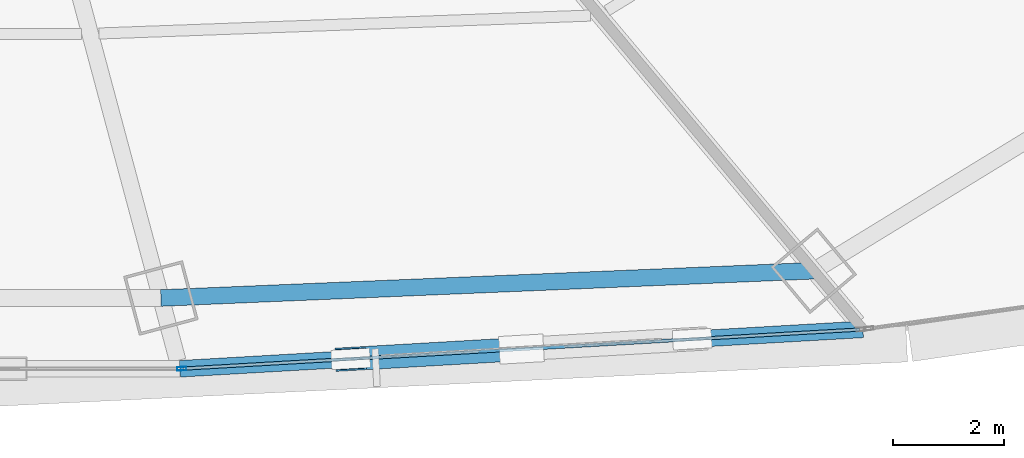
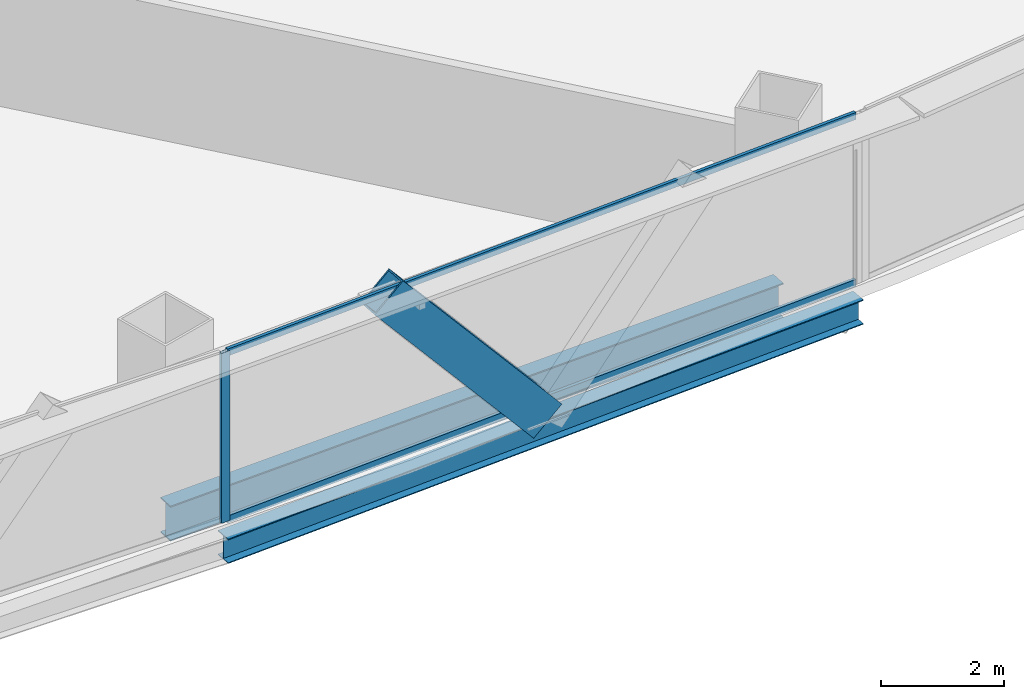
# One storey, part 10 of 37: 4 members, 2 beams, 1 element without a shape of its own.
"""IFC4 building model written with IfcOpenShell, lengths in metres."""

from ifc_helpers import new_model, si_unit, direction, frame, origin, origin_2d, place, context, subcontext, project, spatial, hollow_rectangle, i_section, extrude, source, transform, mapped, material, layer, layer_set, material_profile, profile_set, type_object, element, aggregate, save


model = new_model("IFC4")

# Units and contexts
model_context = context("Model", 3, precision=1e-05, world=origin(), true_north=direction((0.0, 1.0)))
body_context = subcontext(model_context, "Body", "Model", "MODEL_VIEW")
ifc_project = project(units=[si_unit("LENGTHUNIT", "METRE"), si_unit("AREAUNIT", "SQUARE_METRE"), si_unit("VOLUMEUNIT", "CUBIC_METRE"), si_unit("PLANEANGLEUNIT", "RADIAN"), si_unit("MASSUNIT", "GRAM", prefix="KILO"), si_unit("THERMODYNAMICTEMPERATUREUNIT", "KELVIN"), si_unit("POWERUNIT", "WATT")], contexts=[model_context])

# Site, building, storey
site_placement = place(None, origin())
site = spatial("IfcSite", under=ifc_project, at=site_placement, CompositionType="ELEMENT")
building_placement = place(site_placement, origin())
building = spatial("IfcBuilding", under=site, at=building_placement, Name="Yunzhuo Pagoda Commons", CompositionType="ELEMENT")
storey_placement = place(building_placement, frame((0.0, 0.0, 55.81005859375)))
storey = spatial("IfcBuildingStorey", under=building, at=storey_placement, Name="L14", CompositionType="ELEMENT", Elevation=55.81005859375)

# Beams
ifc_material_1 = material(Name="Structural steel Q355B", Category="steel")
ifc_material_profile_1 = material_profile(ifc_material_1, i_section(OverallWidth=0.300048828125, OverallDepth=0.699951171875, WebThickness=0.012939453125, FlangeThickness=0.02392578125, at=origin_2d()), Name="Structural steel Q355B")
ifc_profile_set_1 = profile_set([ifc_material_profile_1], Name="Structural steel Q355B")
beam_type_1 = type_object("IfcBeamType", Name="B-RG1 Beam HN 700x300x13x24", PredefinedType="BEAM", material=ifc_profile_set_1)
shared_shape_1 = source(origin(), body_context, "Body", "SweptSolid", [
    extrude(i_section(OverallWidth=0.300048828125, OverallDepth=0.699951171875, WebThickness=0.012939453125, FlangeThickness=0.02392578125, at=origin_2d()), origin(), (0.0, 0.0, 1.0), 11.7900390625),
])
beam_1_placement = place(storey_placement, frame((53.72021484375, 12.35205078125, -0.610107421875), z_axis=(0.99912739354, 0.041766631146, 0.0), x_axis=(-0.041766631146, 0.99912739354, 0.0)))
element("IfcBeam", 1, at=beam_1_placement, inside=storey, type_object=beam_type_1, Name="L14 column-ring beam 3", PredefinedType="BEAM", context=body_context, shape_type="MappedRepresentation", body=[
    mapped(shared_shape_1, transform((0.0, 0.0, 0.0), scale=1.0)),
])
ifc_material_profile_2 = material_profile(ifc_material_1, i_section(OverallWidth=0.300048828125, OverallDepth=0.488037109375, WebThickness=0.010986328125, FlangeThickness=0.01806640625, at=origin_2d()), Name="Structural steel Q355B")
ifc_profile_set_2 = profile_set([ifc_material_profile_2], Name="Structural steel Q355B")
beam_type_2 = type_object("IfcBeamType", Name="B-SP1 Beam HM 488x300x11x18", PredefinedType="BEAM", material=ifc_profile_set_2)
shared_shape_2 = source(origin(), body_context, "Body", "SweptSolid", [
    extrude(i_section(OverallWidth=0.300048828125, OverallDepth=0.488037109375, WebThickness=0.010986328125, FlangeThickness=0.01806640625, at=origin_2d()), origin(), (0.0, 0.0, 1.0), 12.345703125),
])
beam_2_placement = place(storey_placement, frame((54.0625, 11.07470703125, -0.504150390625), z_axis=(0.998336003237, 0.057664760824, 0.0), x_axis=(-0.057664760824, 0.998336003237, 0.0)))
element("IfcBeam", 2, at=beam_2_placement, inside=storey, type_object=beam_type_2, Name="L14 facade edge spandrel beam F1.3", PredefinedType="BEAM", context=body_context, shape_type="MappedRepresentation", body=[
    mapped(shared_shape_2, transform((0.0, 0.0, 0.0), scale=1.0)),
])

# Member
ifc_material_2 = material(Name="Structural steel Q420B", Category="steel")
ifc_material_profile_3 = material_profile(ifc_material_2, hollow_rectangle(XDim=0.419921875, YDim=0.719970703125, WallThickness=0.028076171875, at=origin_2d()), Name="Structural steel Q420B")
ifc_profile_set_3 = profile_set([ifc_material_profile_3], Name="Structural steel Q420B")
member_type_1 = type_object("IfcMemberType", Name="M-DL1 Brace BOX 720x420x28", PredefinedType="BRACE", material=ifc_profile_set_3)
shared_shape_3 = source(origin(), body_context, "Body", "SweptSolid", [
    extrude(hollow_rectangle(XDim=0.419921875, YDim=0.719970703125, WallThickness=0.028076171875, at=origin_2d()), origin(), (0.0, 0.0, 1.0), 4.7646484375),
])
member_1_placement = place(storey_placement, frame((60.22509765625, 11.4306640625, -0.260009765625), z_axis=(-0.646697772317, -0.037302589196, 0.761833648587), x_axis=(0.057585922133, -0.998340553905, 0.0)))
element("IfcMember", 3, at=member_1_placement, inside=storey, type_object=member_type_1, Name="L14 facade diamond brace F1.3L", PredefinedType="BRACE", context=body_context, shape_type="MappedRepresentation", body=[
    mapped(shared_shape_3, transform((0.0, 0.0, 0.0), scale=1.0)),
])

# Curtain wall, members
ifc_material_3 = material(Name="Anodized aluminium 6063-T6", Category="aluminium")
ifc_layer = layer(ifc_material_3, 0.1650390625)
ifc_layer_set = layer_set([ifc_layer], Name="Anodized aluminium 6063-T6")
curtain_wall_type = type_object("IfcCurtainWallType", Name="CW-LOW Low-Zone Ribbon Curtain Wall", PredefinedType="NOTDEFINED", material=ifc_layer_set)
curtain_wall_placement = place(storey_placement, origin())
curtain_wall = element("IfcCurtainWall", 4, at=curtain_wall_placement, inside=storey, type_object=curtain_wall_type, Name="L14 curtain wall CW-L14-F1B4", PredefinedType="NOTDEFINED")
ifc_material_profile_4 = material_profile(ifc_material_3, hollow_rectangle(XDim=0.06494140625, YDim=0.1650390625, WallThickness=0.00390625, at=origin_2d()), Name="Anodized aluminium 6063-T6")
ifc_profile_set_4 = profile_set([ifc_material_profile_4], Name="Anodized aluminium 6063-T6")
member_type_2 = type_object("IfcMemberType", Name="CW-LOW-M Mullion RHS 165x65x4", PredefinedType="MULLION", material=ifc_profile_set_4)
shared_shape_4 = source(origin(), body_context, "Body", "SweptSolid", [
    extrude(hollow_rectangle(XDim=0.06494140625, YDim=0.1650390625, WallThickness=0.00390625, at=origin_2d()), origin(), (0.0, 0.0, 1.0), 3.369873046875),
])
member_2_placement = place(storey_placement, frame((54.094970703125, 11.076416015625, 0.0), z_axis=(0.0, 0.0, 1.0), x_axis=(-0.057664069997, 0.998336043139, 0.0)))
member_2 = element("IfcMember", 5, at=member_2_placement, type_object=member_type_2, Name="CW mullion 1", PredefinedType="MULLION", context=body_context, shape_type="MappedRepresentation", body=[
    mapped(shared_shape_4, transform((0.0, 0.0, 0.0), scale=1.0)),
])
ifc_material_profile_5 = material_profile(ifc_material_3, hollow_rectangle(XDim=0.06005859375, YDim=0.139892578125, WallThickness=0.00341796875, at=origin_2d()), Name="Anodized aluminium 6063-T6")
ifc_profile_set_5 = profile_set([ifc_material_profile_5], Name="Anodized aluminium 6063-T6")
member_type_3 = type_object("IfcMemberType", Name="CW-LOW-T Transom RHS 140x60x3.5", PredefinedType="USERDEFINED", material=ifc_profile_set_5)
shared_shape_5 = source(origin(), body_context, "Body", "SweptSolid", [
    extrude(hollow_rectangle(XDim=0.06005859375, YDim=0.139892578125, WallThickness=0.00341796875, at=origin_2d()), origin(), (0.0, 0.0, 1.0), 12.215576171875),
])
member_3_placement = place(storey_placement, frame((54.12744140625, 11.078369140625, 0.030029296875), z_axis=(0.998336315272, 0.057659358375, 0.0), x_axis=(-0.057659358375, 0.998336315272, 0.0)))
member_3 = element("IfcMember", 6, at=member_3_placement, type_object=member_type_3, Name="CW transom 1.1", ObjectType="TRANSOM", PredefinedType="USERDEFINED", context=body_context, shape_type="MappedRepresentation", body=[
    mapped(shared_shape_5, transform((0.0, 0.0, 0.0), scale=1.0)),
])
member_4_placement = place(storey_placement, frame((54.12744140625, 11.078369140625, 3.33984375), z_axis=(0.998336315272, 0.057659358375, 0.0), x_axis=(-0.057659358375, 0.998336315272, 0.0)))
member_4 = element("IfcMember", 7, at=member_4_placement, type_object=member_type_3, Name="CW transom 1.2", ObjectType="TRANSOM", PredefinedType="USERDEFINED", context=body_context, shape_type="MappedRepresentation", body=[
    mapped(shared_shape_5, transform((0.0, 0.0, 0.0), scale=1.0)),
])
aggregate(curtain_wall, [member_2, member_3, member_4])

save(model, "model.ifc")
